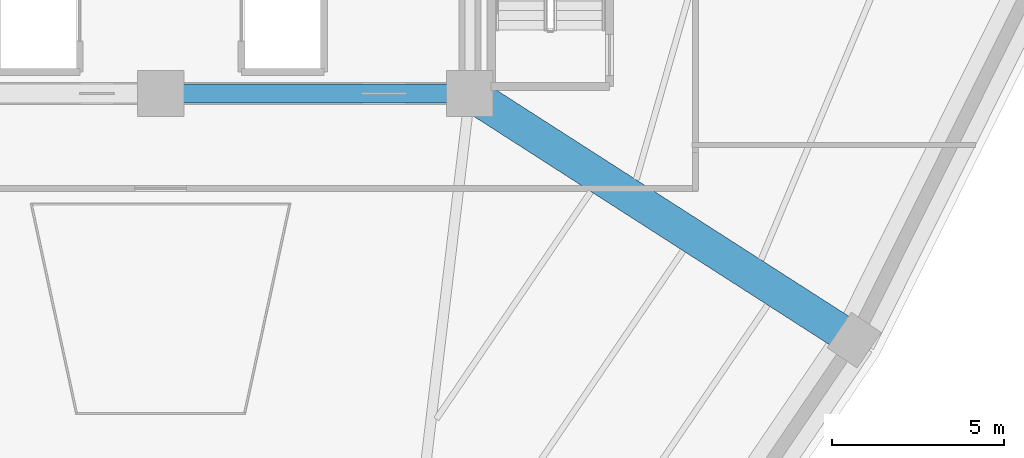
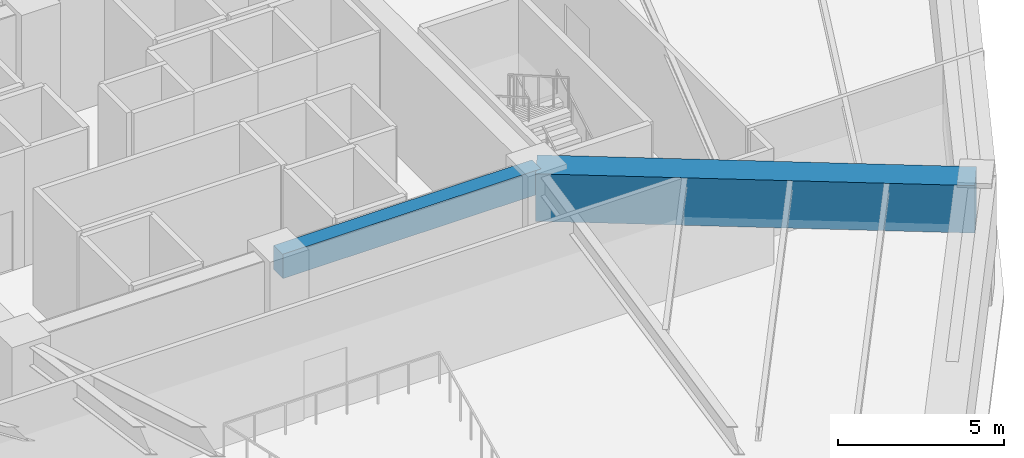
# One storey, part 11 of 39: 2 beams.
"""IFC4 building model written with IfcOpenShell, lengths in metres."""

from ifc_helpers import new_model, si_unit, direction, frame, origin, origin_2d, place, context, subcontext, project, spatial, rectangle, extrude, source, transform, mapped, material, material_profile, profile_set, type_object, element, save


model = new_model("IFC4")

# Units and contexts
model_context = context("Model", 3, precision=1e-05, world=origin(), true_north=direction((0.0, 1.0)))
body_context = subcontext(model_context, "Body", "Model", "MODEL_VIEW")
ifc_project = project(units=[si_unit("LENGTHUNIT", "METRE"), si_unit("AREAUNIT", "SQUARE_METRE"), si_unit("VOLUMEUNIT", "CUBIC_METRE"), si_unit("PLANEANGLEUNIT", "RADIAN"), si_unit("MASSUNIT", "GRAM", prefix="KILO")], contexts=[model_context])

# Site, building, storey
site_placement = place(None, origin())
site = spatial("IfcSite", under=ifc_project, at=site_placement, CompositionType="ELEMENT")
building_placement = place(site_placement, origin())
building = spatial("IfcBuilding", under=site, at=building_placement, Name="Liaohun Quay Tower", CompositionType="ELEMENT")
storey_placement = place(building_placement, frame((0.0, 0.0, 189.75)))
storey = spatial("IfcBuildingStorey", under=building, at=storey_placement, Name="L49", CompositionType="ELEMENT", Elevation=189.75)

# Beams
ifc_material_1 = material(Name="Concrete C55", Category="concrete")
ifc_material_profile_1 = material_profile(ifc_material_1, rectangle(XDim=0.550048828125, YDim=0.89990234375, at=origin_2d()), Name="RC550x900")
ifc_profile_set_1 = profile_set([ifc_material_profile_1], Name="Concrete C55")
beam_type_1 = type_object("IfcBeamType", Name="BM-CPL-2", PredefinedType="LINTEL", material=ifc_profile_set_1)
shared_shape_1 = source(origin(), body_context, "Body", "SweptSolid", [
    extrude(rectangle(XDim=0.550048828125, YDim=0.89990234375, at=origin_2d()), origin(), (0.0, 0.0, 1.0), 9.0),
])
beam_1_placement = place(storey_placement, frame((60.0, 46.5, 3.8701171875), z_axis=(1.0, 0.0, 0.0), x_axis=(0.0, 1.0, 0.0)))
element("IfcBeam", 1, at=beam_1_placement, inside=storey, type_object=beam_type_1, Name="L49 Core Coupling/Ring Beam CC2-CC3", PredefinedType="LINTEL", context=body_context, shape_type="MappedRepresentation", body=[
    mapped(shared_shape_1, transform((0.0, 0.0, 0.0), x_axis=(1.0, 0.0, 0.0), y_axis=(0.0, 1.0, 0.0), z_axis=(0.0, 0.0, 1.0), scale=1.0)),
])
ifc_material_2 = material(Name="Concrete C60", Category="concrete")
ifc_material_profile_2 = material_profile(ifc_material_2, rectangle(XDim=1.0, YDim=1.75, at=origin_2d()), Name="RC1000x1750")
ifc_profile_set_2 = profile_set([ifc_material_profile_2], Name="Concrete C60")
beam_type_2 = type_object("IfcBeamType", Name="BM-TRF-2", PredefinedType="BEAM", material=ifc_profile_set_2)
shared_shape_2 = source(origin(), body_context, "Body", "SweptSolid", [
    extrude(rectangle(XDim=1.0, YDim=1.75, at=origin_2d()), origin(), (0.0, 0.0, 1.0), 13.28271484375),
])
beam_2_placement = place(storey_placement, frame((69.0, 46.5, 3.445068359375), z_axis=(0.841547944424, -0.540182429588, 0.0), x_axis=(0.540182429588, 0.841547944424, 0.0)))
element("IfcBeam", 2, at=beam_2_placement, inside=storey, type_object=beam_type_2, Name="L49 Radial Primary Girder CC3-PC10", PredefinedType="BEAM", context=body_context, shape_type="MappedRepresentation", body=[
    mapped(shared_shape_2, transform((0.0, 0.0, 0.0), x_axis=(1.0, 0.0, 0.0), y_axis=(0.0, 1.0, 0.0), z_axis=(0.0, 0.0, 1.0), scale=1.0)),
])

save(model, "model.ifc")
